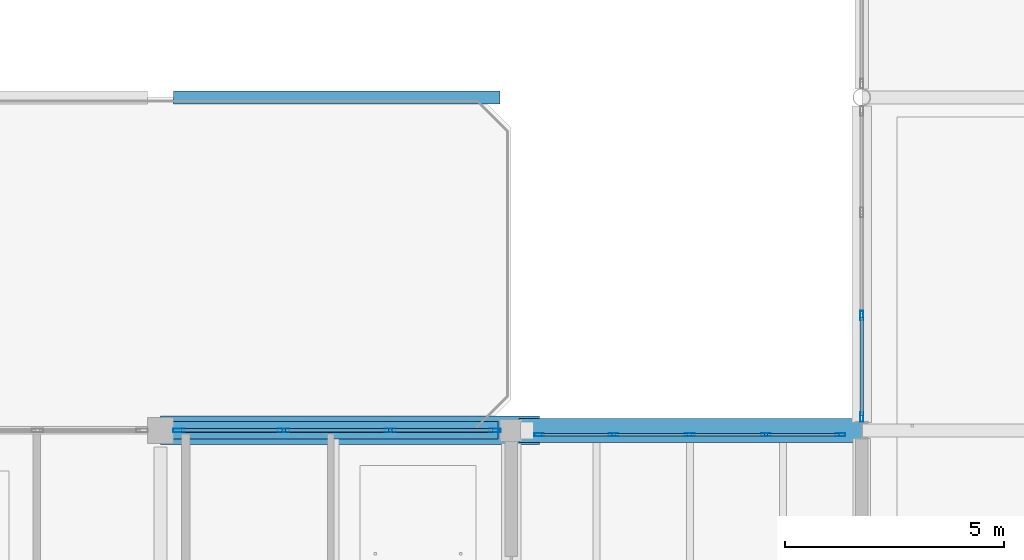
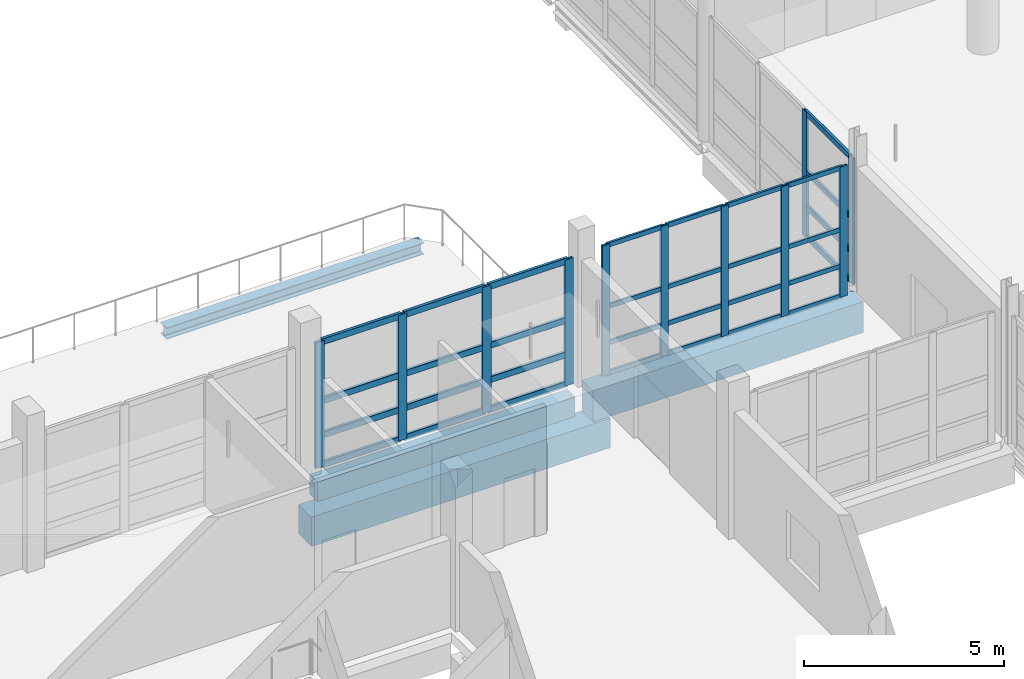
# One storey, part 41 of 147: 43 members, 4 beams, 3 elements without a shape of their own.
"""IFC4 building model written with IfcOpenShell, lengths in metres."""

from ifc_helpers import new_model, si_unit, direction, frame, origin, origin_2d, place, context, subcontext, project, spatial, rectangle, hollow_rectangle, i_section, extrude, material, material_profile, profile_set, type_object, element, aggregate, save


model = new_model("IFC4")

# Units and contexts
model_context = context("Model", 3, precision=1e-05, world=origin(), true_north=direction((0.0, 1.0)))
body_context = subcontext(model_context, "Body", "Model", "MODEL_VIEW")
ifc_project = project(units=[si_unit("LENGTHUNIT", "METRE"), si_unit("AREAUNIT", "SQUARE_METRE"), si_unit("VOLUMEUNIT", "CUBIC_METRE"), si_unit("PLANEANGLEUNIT", "RADIAN"), si_unit("MASSUNIT", "GRAM", prefix="KILO")], contexts=[model_context])

# Site, building, storey
site_placement = place(None, origin())
site = spatial("IfcSite", under=ifc_project, at=site_placement, CompositionType="ELEMENT")
building_placement = place(site_placement, origin())
building = spatial("IfcBuilding", under=site, at=building_placement, Name="Khelvaren Railside Concert Hall", CompositionType="ELEMENT")
storey_placement = place(building_placement, frame((0.0, 0.0, 5.39990234375)))
storey = spatial("IfcBuildingStorey", under=building, at=storey_placement, Name="L01", CompositionType="ELEMENT", Elevation=5.39990234375)

# Beam
ifc_material_1 = material(Name="Concrete C40/50", Category="concrete")
ifc_material_profile_1 = material_profile(ifc_material_1, rectangle(XDim=0.64990234375, YDim=0.89990234375, at=origin_2d()), Name="RCB 650x900")
ifc_profile_set_1 = profile_set([ifc_material_profile_1], Name="Concrete C40/50")
beam_type_1 = type_object("IfcBeamType", Name="BM18", PredefinedType="BEAM", material=ifc_profile_set_1)
beam_1_placement = place(storey_placement, frame((128.0, 15.199951171875, -1.659912109375), z_axis=(1.0, 0.0, 0.0), x_axis=(0.0, 1.0, 0.0)))
element("IfcBeam", 1, at=beam_1_placement, inside=storey, type_object=beam_type_1, Name="East Rehearsal Link Bridge L01 Seismic Corbel Seat 2", PredefinedType="BEAM", context=body_context, shape_type="SweptSolid", body=[
    extrude(rectangle(XDim=0.64990234375, YDim=0.89990234375, at=origin_2d()), origin(), (0.0, 0.0, 1.0), 8.64990234375),
])

# Curtain wall, members
ifc_material_2 = material(Name="Triple-glazed solar-control glass", Category="glass")
curtain_wall_type_1 = type_object("IfcCurtainWallType", Name="CW41", PredefinedType="USERDEFINED", material=ifc_material_2)
curtain_wall_1_placement = place(storey_placement, origin())
curtain_wall_1 = element("IfcCurtainWall", 2, at=curtain_wall_1_placement, inside=storey, type_object=curtain_wall_type_1, Name="Unitised Curtain Wall CW-V2-L01-W-15", ObjectType="UNITISED CURTAIN WALL", PredefinedType="USERDEFINED")
ifc_material_3 = material(Name="Anodised architectural aluminium 6063-T6", Category="aluminium")
ifc_material_profile_2 = material_profile(ifc_material_3, hollow_rectangle(XDim=0.074951171875, YDim=0.219970703125, WallThickness=0.0048828125, InnerFilletRadius=0.0029296875, OuterFilletRadius=0.0048828125, at=origin_2d()), Name="CWM 75x220x5")
ifc_profile_set_2 = profile_set([ifc_material_profile_2], Name="Anodised architectural aluminium 6063-T6")
member_type_1 = type_object("IfcMemberType", Name="CWM13", PredefinedType="MULLION", material=ifc_profile_set_2)
member_1_placement = place(storey_placement, frame((144.0, 15.5048828125, 0.0), z_axis=(0.0, 0.0, 1.0), x_axis=(-1.0, 0.0, 0.0)))
member_1 = element("IfcMember", 3, at=member_1_placement, type_object=member_type_1, Name="CW41 mullion 1", PredefinedType="MULLION", context=body_context, shape_type="SweptSolid", body=[
    extrude(hollow_rectangle(XDim=0.074951171875, YDim=0.219970703125, WallThickness=0.0048828125, InnerFilletRadius=0.0029296875, OuterFilletRadius=0.0048828125, at=origin_2d()), origin(), (0.0, 0.0, 1.0), 3.85009765625),
])
member_2_placement = place(storey_placement, frame((144.0, 17.81982421875, 0.0), z_axis=(0.0, 0.0, 1.0), x_axis=(-1.0, 0.0, 0.0)))
member_2 = element("IfcMember", 4, at=member_2_placement, type_object=member_type_1, Name="CW41 mullion 2", PredefinedType="MULLION", context=body_context, shape_type="SweptSolid", body=[
    extrude(hollow_rectangle(XDim=0.074951171875, YDim=0.219970703125, WallThickness=0.0048828125, InnerFilletRadius=0.0029296875, OuterFilletRadius=0.0048828125, at=origin_2d()), origin(), (0.0, 0.0, 1.0), 3.85009765625),
])

ifc_material_4 = material(Name="Double-glazed clear foyer glass", Category="glass")
curtain_wall_type_2 = type_object("IfcCurtainWallType", Name="CW47", PredefinedType="USERDEFINED", material=ifc_material_4)
curtain_wall_2_placement = place(storey_placement, origin())
curtain_wall_2 = element("IfcCurtainWall", 5, at=curtain_wall_2_placement, inside=storey, type_object=curtain_wall_type_2, Name="Unitised Curtain Wall CW-LB2-L01-N", ObjectType="UNITISED CURTAIN WALL", PredefinedType="USERDEFINED")
member_3_placement = place(storey_placement, frame((136.637451171875, 15.10009765625, 0.0), z_axis=(0.0, 0.0, 1.0), x_axis=(0.0, 1.0, 0.0)))
member_3 = element("IfcMember", 6, at=member_3_placement, type_object=member_type_1, Name="CW47 mullion 1", PredefinedType="MULLION", context=body_context, shape_type="SweptSolid", body=[
    extrude(hollow_rectangle(XDim=0.074951171875, YDim=0.219970703125, WallThickness=0.0048828125, InnerFilletRadius=0.0029296875, OuterFilletRadius=0.0048828125, at=origin_2d()), origin(), (0.0, 0.0, 1.0), 3.97998046875),
])
member_4_placement = place(storey_placement, frame((138.33740234375, 15.10009765625, 0.0), z_axis=(0.0, 0.0, 1.0), x_axis=(0.0, 1.0, 0.0)))
member_4 = element("IfcMember", 7, at=member_4_placement, type_object=member_type_1, Name="CW47 mullion 2", PredefinedType="MULLION", context=body_context, shape_type="SweptSolid", body=[
    extrude(hollow_rectangle(XDim=0.074951171875, YDim=0.219970703125, WallThickness=0.0048828125, InnerFilletRadius=0.0029296875, OuterFilletRadius=0.0048828125, at=origin_2d()), origin(), (0.0, 0.0, 1.0), 3.97998046875),
])
member_5_placement = place(storey_placement, frame((140.074951171875, 15.10009765625, 0.0), z_axis=(0.0, 0.0, 1.0), x_axis=(0.0, 1.0, 0.0)))
member_5 = element("IfcMember", 8, at=member_5_placement, type_object=member_type_1, Name="CW47 mullion 3", PredefinedType="MULLION", context=body_context, shape_type="SweptSolid", body=[
    extrude(hollow_rectangle(XDim=0.074951171875, YDim=0.219970703125, WallThickness=0.0048828125, InnerFilletRadius=0.0029296875, OuterFilletRadius=0.0048828125, at=origin_2d()), origin(), (0.0, 0.0, 1.0), 3.97998046875),
])
member_6_placement = place(storey_placement, frame((141.8125, 15.10009765625, 0.0), z_axis=(0.0, 0.0, 1.0), x_axis=(0.0, 1.0, 0.0)))
member_6 = element("IfcMember", 9, at=member_6_placement, type_object=member_type_1, Name="CW47 mullion 4", PredefinedType="MULLION", context=body_context, shape_type="SweptSolid", body=[
    extrude(hollow_rectangle(XDim=0.074951171875, YDim=0.219970703125, WallThickness=0.0048828125, InnerFilletRadius=0.0029296875, OuterFilletRadius=0.0048828125, at=origin_2d()), origin(), (0.0, 0.0, 1.0), 3.97998046875),
])
member_7_placement = place(storey_placement, frame((143.512451171875, 15.10009765625, 0.0), z_axis=(0.0, 0.0, 1.0), x_axis=(0.0, 1.0, 0.0)))
member_7 = element("IfcMember", 10, at=member_7_placement, type_object=member_type_1, Name="CW47 mullion 5", PredefinedType="MULLION", context=body_context, shape_type="SweptSolid", body=[
    extrude(hollow_rectangle(XDim=0.074951171875, YDim=0.219970703125, WallThickness=0.0048828125, InnerFilletRadius=0.0029296875, OuterFilletRadius=0.0048828125, at=origin_2d()), origin(), (0.0, 0.0, 1.0), 3.97998046875),
])

ifc_material_5 = material(Name="Acoustic laminated crystal facade glass", Category="glass")
curtain_wall_type_3 = type_object("IfcCurtainWallType", Name="CW66", PredefinedType="USERDEFINED", material=ifc_material_5)
curtain_wall_3_placement = place(storey_placement, origin())
curtain_wall_3 = element("IfcCurtainWall", 11, at=curtain_wall_3_placement, inside=storey, type_object=curtain_wall_type_3, Name="Unitised Curtain Wall CW-V3-L01-N-128", ObjectType="UNITISED CURTAIN WALL", PredefinedType="USERDEFINED")
ifc_material_profile_3 = material_profile(ifc_material_3, hollow_rectangle(XDim=0.0849609375, YDim=0.260009765625, WallThickness=0.0048828125, InnerFilletRadius=0.0029296875, OuterFilletRadius=0.0048828125, at=origin_2d()), Name="CWM 85x260x5")
ifc_profile_set_3 = profile_set([ifc_material_profile_3], Name="Anodised architectural aluminium 6063-T6")
member_type_2 = type_object("IfcMemberType", Name="CWM40", PredefinedType="MULLION", material=ifc_profile_set_3)
member_8_placement = place(storey_placement, frame((128.419921875, 15.199951171875, 0.0), z_axis=(0.0, 0.0, 1.0), x_axis=(0.0, 1.0, 0.0)))
member_8 = element("IfcMember", 12, at=member_8_placement, type_object=member_type_2, Name="CW66 mullion 1", PredefinedType="MULLION", context=body_context, shape_type="SweptSolid", body=[
    extrude(hollow_rectangle(XDim=0.0849609375, YDim=0.260009765625, WallThickness=0.0048828125, InnerFilletRadius=0.0029296875, OuterFilletRadius=0.0048828125, at=origin_2d()), origin(), (0.0, 0.0, 1.0), 3.85009765625),
])
member_9_placement = place(storey_placement, frame((130.80908203125, 15.199951171875, 0.0), z_axis=(0.0, 0.0, 1.0), x_axis=(0.0, 1.0, 0.0)))
member_9 = element("IfcMember", 13, at=member_9_placement, type_object=member_type_2, Name="CW66 mullion 2", PredefinedType="MULLION", context=body_context, shape_type="SweptSolid", body=[
    extrude(hollow_rectangle(XDim=0.0849609375, YDim=0.260009765625, WallThickness=0.0048828125, InnerFilletRadius=0.0029296875, OuterFilletRadius=0.0048828125, at=origin_2d()), origin(), (0.0, 0.0, 1.0), 3.85009765625),
])
member_10_placement = place(storey_placement, frame((133.24072265625, 15.199951171875, 0.0), z_axis=(0.0, 0.0, 1.0), x_axis=(0.0, 1.0, 0.0)))
member_10 = element("IfcMember", 14, at=member_10_placement, type_object=member_type_2, Name="CW66 mullion 3", PredefinedType="MULLION", context=body_context, shape_type="SweptSolid", body=[
    extrude(hollow_rectangle(XDim=0.0849609375, YDim=0.260009765625, WallThickness=0.0048828125, InnerFilletRadius=0.0029296875, OuterFilletRadius=0.0048828125, at=origin_2d()), origin(), (0.0, 0.0, 1.0), 3.85009765625),
])
member_11_placement = place(storey_placement, frame((135.6298828125, 15.199951171875, 0.0), z_axis=(0.0, 0.0, 1.0), x_axis=(0.0, 1.0, 0.0)))
member_11 = element("IfcMember", 15, at=member_11_placement, type_object=member_type_2, Name="CW66 mullion 4", PredefinedType="MULLION", context=body_context, shape_type="SweptSolid", body=[
    extrude(hollow_rectangle(XDim=0.0849609375, YDim=0.260009765625, WallThickness=0.0048828125, InnerFilletRadius=0.0029296875, OuterFilletRadius=0.0048828125, at=origin_2d()), origin(), (0.0, 0.0, 1.0), 3.85009765625),
])
ifc_material_profile_4 = material_profile(ifc_material_3, hollow_rectangle(XDim=0.0849609375, YDim=0.18994140625, WallThickness=0.0048828125, InnerFilletRadius=0.0029296875, OuterFilletRadius=0.0048828125, at=origin_2d()), Name="CWT 85x190x5")
ifc_profile_set_4 = profile_set([ifc_material_profile_4], Name="Anodised architectural aluminium 6063-T6")
member_type_3 = type_object("IfcMemberType", Name="CWT31", PredefinedType="USERDEFINED", material=ifc_profile_set_4)
member_12_placement = place(storey_placement, frame((128.46240234375, 15.199951171875, 0.04248046875), z_axis=(1.0, 0.0, 0.0), x_axis=(0.0, 1.0, 0.0)))
member_12 = element("IfcMember", 16, at=member_12_placement, type_object=member_type_3, Name="CW66 transom 1.1", ObjectType="TRANSOM", PredefinedType="USERDEFINED", context=body_context, shape_type="SweptSolid", body=[
    extrude(hollow_rectangle(XDim=0.0849609375, YDim=0.18994140625, WallThickness=0.0048828125, InnerFilletRadius=0.0029296875, OuterFilletRadius=0.0048828125, at=origin_2d()), origin(), (0.0, 0.0, 1.0), 2.30419921875),
])
member_13_placement = place(storey_placement, frame((128.46240234375, 15.199951171875, 0.9501953125), z_axis=(1.0, 0.0, 0.0), x_axis=(0.0, 1.0, 0.0)))
member_13 = element("IfcMember", 17, at=member_13_placement, type_object=member_type_3, Name="CW66 transom 1.2", ObjectType="TRANSOM", PredefinedType="USERDEFINED", context=body_context, shape_type="SweptSolid", body=[
    extrude(hollow_rectangle(XDim=0.0849609375, YDim=0.18994140625, WallThickness=0.0048828125, InnerFilletRadius=0.0029296875, OuterFilletRadius=0.0048828125, at=origin_2d()), origin(), (0.0, 0.0, 1.0), 2.30419921875),
])
member_14_placement = place(storey_placement, frame((128.46240234375, 15.199951171875, 2.002197265625), z_axis=(1.0, 0.0, 0.0), x_axis=(0.0, 1.0, 0.0)))
member_14 = element("IfcMember", 18, at=member_14_placement, type_object=member_type_3, Name="CW66 transom 1.3", ObjectType="TRANSOM", PredefinedType="USERDEFINED", context=body_context, shape_type="SweptSolid", body=[
    extrude(hollow_rectangle(XDim=0.0849609375, YDim=0.18994140625, WallThickness=0.0048828125, InnerFilletRadius=0.0029296875, OuterFilletRadius=0.0048828125, at=origin_2d()), origin(), (0.0, 0.0, 1.0), 2.30419921875),
])
member_15_placement = place(storey_placement, frame((128.46240234375, 15.199951171875, 3.8076171875), z_axis=(1.0, 0.0, 0.0), x_axis=(0.0, 1.0, 0.0)))
member_15 = element("IfcMember", 19, at=member_15_placement, type_object=member_type_3, Name="CW66 transom 1.4", ObjectType="TRANSOM", PredefinedType="USERDEFINED", context=body_context, shape_type="SweptSolid", body=[
    extrude(hollow_rectangle(XDim=0.0849609375, YDim=0.18994140625, WallThickness=0.0048828125, InnerFilletRadius=0.0029296875, OuterFilletRadius=0.0048828125, at=origin_2d()), origin(), (0.0, 0.0, 1.0), 2.30419921875),
])
member_16_placement = place(storey_placement, frame((130.8515625, 15.199951171875, 0.04248046875), z_axis=(1.0, 0.0, 0.0), x_axis=(0.0, 1.0, 0.0)))
member_16 = element("IfcMember", 20, at=member_16_placement, type_object=member_type_3, Name="CW66 transom 2.1", ObjectType="TRANSOM", PredefinedType="USERDEFINED", context=body_context, shape_type="SweptSolid", body=[
    extrude(hollow_rectangle(XDim=0.0849609375, YDim=0.18994140625, WallThickness=0.0048828125, InnerFilletRadius=0.0029296875, OuterFilletRadius=0.0048828125, at=origin_2d()), origin(), (0.0, 0.0, 1.0), 2.3466796875),
])
member_17_placement = place(storey_placement, frame((130.8515625, 15.199951171875, 0.9501953125), z_axis=(1.0, 0.0, 0.0), x_axis=(0.0, 1.0, 0.0)))
member_17 = element("IfcMember", 21, at=member_17_placement, type_object=member_type_3, Name="CW66 transom 2.2", ObjectType="TRANSOM", PredefinedType="USERDEFINED", context=body_context, shape_type="SweptSolid", body=[
    extrude(hollow_rectangle(XDim=0.0849609375, YDim=0.18994140625, WallThickness=0.0048828125, InnerFilletRadius=0.0029296875, OuterFilletRadius=0.0048828125, at=origin_2d()), origin(), (0.0, 0.0, 1.0), 2.3466796875),
])
member_18_placement = place(storey_placement, frame((130.8515625, 15.199951171875, 2.002197265625), z_axis=(1.0, 0.0, 0.0), x_axis=(0.0, 1.0, 0.0)))
member_18 = element("IfcMember", 22, at=member_18_placement, type_object=member_type_3, Name="CW66 transom 2.3", ObjectType="TRANSOM", PredefinedType="USERDEFINED", context=body_context, shape_type="SweptSolid", body=[
    extrude(hollow_rectangle(XDim=0.0849609375, YDim=0.18994140625, WallThickness=0.0048828125, InnerFilletRadius=0.0029296875, OuterFilletRadius=0.0048828125, at=origin_2d()), origin(), (0.0, 0.0, 1.0), 2.3466796875),
])
member_19_placement = place(storey_placement, frame((130.8515625, 15.199951171875, 3.8076171875), z_axis=(1.0, 0.0, 0.0), x_axis=(0.0, 1.0, 0.0)))
member_19 = element("IfcMember", 23, at=member_19_placement, type_object=member_type_3, Name="CW66 transom 2.4", ObjectType="TRANSOM", PredefinedType="USERDEFINED", context=body_context, shape_type="SweptSolid", body=[
    extrude(hollow_rectangle(XDim=0.0849609375, YDim=0.18994140625, WallThickness=0.0048828125, InnerFilletRadius=0.0029296875, OuterFilletRadius=0.0048828125, at=origin_2d()), origin(), (0.0, 0.0, 1.0), 2.3466796875),
])
member_20_placement = place(storey_placement, frame((133.283447265625, 15.199951171875, 0.04248046875), z_axis=(1.0, 0.0, 0.0), x_axis=(0.0, 1.0, 0.0)))
member_20 = element("IfcMember", 24, at=member_20_placement, type_object=member_type_3, Name="CW66 transom 3.1", ObjectType="TRANSOM", PredefinedType="USERDEFINED", context=body_context, shape_type="SweptSolid", body=[
    extrude(hollow_rectangle(XDim=0.0849609375, YDim=0.18994140625, WallThickness=0.0048828125, InnerFilletRadius=0.0029296875, OuterFilletRadius=0.0048828125, at=origin_2d()), origin(), (0.0, 0.0, 1.0), 2.303955078125),
])
member_21_placement = place(storey_placement, frame((133.283447265625, 15.199951171875, 0.9501953125), z_axis=(1.0, 0.0, 0.0), x_axis=(0.0, 1.0, 0.0)))
member_21 = element("IfcMember", 25, at=member_21_placement, type_object=member_type_3, Name="CW66 transom 3.2", ObjectType="TRANSOM", PredefinedType="USERDEFINED", context=body_context, shape_type="SweptSolid", body=[
    extrude(hollow_rectangle(XDim=0.0849609375, YDim=0.18994140625, WallThickness=0.0048828125, InnerFilletRadius=0.0029296875, OuterFilletRadius=0.0048828125, at=origin_2d()), origin(), (0.0, 0.0, 1.0), 2.303955078125),
])
member_22_placement = place(storey_placement, frame((133.283447265625, 15.199951171875, 2.002197265625), z_axis=(1.0, 0.0, 0.0), x_axis=(0.0, 1.0, 0.0)))
member_22 = element("IfcMember", 26, at=member_22_placement, type_object=member_type_3, Name="CW66 transom 3.3", ObjectType="TRANSOM", PredefinedType="USERDEFINED", context=body_context, shape_type="SweptSolid", body=[
    extrude(hollow_rectangle(XDim=0.0849609375, YDim=0.18994140625, WallThickness=0.0048828125, InnerFilletRadius=0.0029296875, OuterFilletRadius=0.0048828125, at=origin_2d()), origin(), (0.0, 0.0, 1.0), 2.303955078125),
])
member_23_placement = place(storey_placement, frame((133.283447265625, 15.199951171875, 3.8076171875), z_axis=(1.0, 0.0, 0.0), x_axis=(0.0, 1.0, 0.0)))
member_23 = element("IfcMember", 27, at=member_23_placement, type_object=member_type_3, Name="CW66 transom 3.4", ObjectType="TRANSOM", PredefinedType="USERDEFINED", context=body_context, shape_type="SweptSolid", body=[
    extrude(hollow_rectangle(XDim=0.0849609375, YDim=0.18994140625, WallThickness=0.0048828125, InnerFilletRadius=0.0029296875, OuterFilletRadius=0.0048828125, at=origin_2d()), origin(), (0.0, 0.0, 1.0), 2.303955078125),
])
aggregate(curtain_wall_3, [member_8, member_9, member_10, member_11, member_12, member_13, member_14, member_15, member_16, member_17, member_18, member_19, member_20, member_21, member_22, member_23])

# Member
ifc_material_profile_5 = material_profile(ifc_material_3, hollow_rectangle(XDim=0.074951171875, YDim=0.1650390625, WallThickness=0.00390625, InnerFilletRadius=0.001953125, OuterFilletRadius=0.00390625, at=origin_2d()), Name="CWT 75x165x4")
ifc_profile_set_5 = profile_set([ifc_material_profile_5], Name="Anodised architectural aluminium 6063-T6")
member_type_4 = type_object("IfcMemberType", Name="CWT46", PredefinedType="USERDEFINED", material=ifc_profile_set_5)
member_24_placement = place(storey_placement, frame((144.0, 15.54248046875, 0.03759765625), z_axis=(0.0, 1.0, 0.0), x_axis=(-1.0, 0.0, 0.0)))
member_24 = element("IfcMember", 28, at=member_24_placement, type_object=member_type_4, Name="CW41 transom 1.1", ObjectType="TRANSOM", PredefinedType="USERDEFINED", context=body_context, shape_type="SweptSolid", body=[
    extrude(hollow_rectangle(XDim=0.074951171875, YDim=0.1650390625, WallThickness=0.00390625, InnerFilletRadius=0.001953125, OuterFilletRadius=0.00390625, at=origin_2d()), origin(), (0.0, 0.0, 1.0), 2.23974609375),
])

member_25_placement = place(storey_placement, frame((144.0, 15.54248046875, 0.9501953125), z_axis=(0.0, 1.0, 0.0), x_axis=(-1.0, 0.0, 0.0)))
member_25 = element("IfcMember", 29, at=member_25_placement, type_object=member_type_4, Name="CW41 transom 1.2", ObjectType="TRANSOM", PredefinedType="USERDEFINED", context=body_context, shape_type="SweptSolid", body=[
    extrude(hollow_rectangle(XDim=0.074951171875, YDim=0.1650390625, WallThickness=0.00390625, InnerFilletRadius=0.001953125, OuterFilletRadius=0.00390625, at=origin_2d()), origin(), (0.0, 0.0, 1.0), 2.23974609375),
])

member_26_placement = place(storey_placement, frame((144.0, 15.54248046875, 2.002197265625), z_axis=(0.0, 1.0, 0.0), x_axis=(-1.0, 0.0, 0.0)))
member_26 = element("IfcMember", 30, at=member_26_placement, type_object=member_type_4, Name="CW41 transom 1.3", ObjectType="TRANSOM", PredefinedType="USERDEFINED", context=body_context, shape_type="SweptSolid", body=[
    extrude(hollow_rectangle(XDim=0.074951171875, YDim=0.1650390625, WallThickness=0.00390625, InnerFilletRadius=0.001953125, OuterFilletRadius=0.00390625, at=origin_2d()), origin(), (0.0, 0.0, 1.0), 2.23974609375),
])

member_27_placement = place(storey_placement, frame((144.0, 15.54248046875, 3.8125), z_axis=(0.0, 1.0, 0.0), x_axis=(-1.0, 0.0, 0.0)))
member_27 = element("IfcMember", 31, at=member_27_placement, type_object=member_type_4, Name="CW41 transom 1.4", ObjectType="TRANSOM", PredefinedType="USERDEFINED", context=body_context, shape_type="SweptSolid", body=[
    extrude(hollow_rectangle(XDim=0.074951171875, YDim=0.1650390625, WallThickness=0.00390625, InnerFilletRadius=0.001953125, OuterFilletRadius=0.00390625, at=origin_2d()), origin(), (0.0, 0.0, 1.0), 2.23974609375),
])

aggregate(curtain_wall_1, [member_1, member_2, member_24, member_25, member_26, member_27])

ifc_material_profile_6 = material_profile(ifc_material_3, hollow_rectangle(XDim=0.06494140625, YDim=0.139892578125, WallThickness=0.00390625, InnerFilletRadius=0.001953125, OuterFilletRadius=0.00390625, at=origin_2d()), Name="CWT 65x140x4")
ifc_profile_set_6 = profile_set([ifc_material_profile_6], Name="Anodised architectural aluminium 6063-T6")
member_type_5 = type_object("IfcMemberType", Name="CWT72", PredefinedType="USERDEFINED", material=ifc_profile_set_6)
member_28_placement = place(storey_placement, frame((136.675048828125, 15.10009765625, 0.03271484375), z_axis=(1.0, 0.0, 0.0), x_axis=(0.0, 1.0, 0.0)))
member_28 = element("IfcMember", 32, at=member_28_placement, type_object=member_type_5, Name="CW47 transom 1.1", ObjectType="TRANSOM", PredefinedType="USERDEFINED", context=body_context, shape_type="SweptSolid", body=[
    extrude(hollow_rectangle(XDim=0.06494140625, YDim=0.139892578125, WallThickness=0.00390625, InnerFilletRadius=0.001953125, OuterFilletRadius=0.00390625, at=origin_2d()), origin(), (0.0, 0.0, 1.0), 1.625),
])

member_29_placement = place(storey_placement, frame((136.675048828125, 15.10009765625, 0.9501953125), z_axis=(1.0, 0.0, 0.0), x_axis=(0.0, 1.0, 0.0)))
member_29 = element("IfcMember", 33, at=member_29_placement, type_object=member_type_5, Name="CW47 transom 1.2", ObjectType="TRANSOM", PredefinedType="USERDEFINED", context=body_context, shape_type="SweptSolid", body=[
    extrude(hollow_rectangle(XDim=0.06494140625, YDim=0.139892578125, WallThickness=0.00390625, InnerFilletRadius=0.001953125, OuterFilletRadius=0.00390625, at=origin_2d()), origin(), (0.0, 0.0, 1.0), 1.625),
])

member_30_placement = place(storey_placement, frame((136.675048828125, 15.10009765625, 2.069580078125), z_axis=(1.0, 0.0, 0.0), x_axis=(0.0, 1.0, 0.0)))
member_30 = element("IfcMember", 34, at=member_30_placement, type_object=member_type_5, Name="CW47 transom 1.3", ObjectType="TRANSOM", PredefinedType="USERDEFINED", context=body_context, shape_type="SweptSolid", body=[
    extrude(hollow_rectangle(XDim=0.06494140625, YDim=0.139892578125, WallThickness=0.00390625, InnerFilletRadius=0.001953125, OuterFilletRadius=0.00390625, at=origin_2d()), origin(), (0.0, 0.0, 1.0), 1.625),
])

member_31_placement = place(storey_placement, frame((136.675048828125, 15.10009765625, 3.947509765625), z_axis=(1.0, 0.0, 0.0), x_axis=(0.0, 1.0, 0.0)))
member_31 = element("IfcMember", 35, at=member_31_placement, type_object=member_type_5, Name="CW47 transom 1.4", ObjectType="TRANSOM", PredefinedType="USERDEFINED", context=body_context, shape_type="SweptSolid", body=[
    extrude(hollow_rectangle(XDim=0.06494140625, YDim=0.139892578125, WallThickness=0.00390625, InnerFilletRadius=0.001953125, OuterFilletRadius=0.00390625, at=origin_2d()), origin(), (0.0, 0.0, 1.0), 1.625),
])

member_32_placement = place(storey_placement, frame((138.375, 15.10009765625, 0.03271484375), z_axis=(1.0, 0.0, 0.0), x_axis=(0.0, 1.0, 0.0)))
member_32 = element("IfcMember", 36, at=member_32_placement, type_object=member_type_5, Name="CW47 transom 2.1", ObjectType="TRANSOM", PredefinedType="USERDEFINED", context=body_context, shape_type="SweptSolid", body=[
    extrude(hollow_rectangle(XDim=0.06494140625, YDim=0.139892578125, WallThickness=0.00390625, InnerFilletRadius=0.001953125, OuterFilletRadius=0.00390625, at=origin_2d()), origin(), (0.0, 0.0, 1.0), 1.66259765625),
])

member_33_placement = place(storey_placement, frame((138.375, 15.10009765625, 0.9501953125), z_axis=(1.0, 0.0, 0.0), x_axis=(0.0, 1.0, 0.0)))
member_33 = element("IfcMember", 37, at=member_33_placement, type_object=member_type_5, Name="CW47 transom 2.2", ObjectType="TRANSOM", PredefinedType="USERDEFINED", context=body_context, shape_type="SweptSolid", body=[
    extrude(hollow_rectangle(XDim=0.06494140625, YDim=0.139892578125, WallThickness=0.00390625, InnerFilletRadius=0.001953125, OuterFilletRadius=0.00390625, at=origin_2d()), origin(), (0.0, 0.0, 1.0), 1.66259765625),
])

member_34_placement = place(storey_placement, frame((138.375, 15.10009765625, 2.069580078125), z_axis=(1.0, 0.0, 0.0), x_axis=(0.0, 1.0, 0.0)))
member_34 = element("IfcMember", 38, at=member_34_placement, type_object=member_type_5, Name="CW47 transom 2.3", ObjectType="TRANSOM", PredefinedType="USERDEFINED", context=body_context, shape_type="SweptSolid", body=[
    extrude(hollow_rectangle(XDim=0.06494140625, YDim=0.139892578125, WallThickness=0.00390625, InnerFilletRadius=0.001953125, OuterFilletRadius=0.00390625, at=origin_2d()), origin(), (0.0, 0.0, 1.0), 1.66259765625),
])

member_35_placement = place(storey_placement, frame((138.375, 15.10009765625, 3.947509765625), z_axis=(1.0, 0.0, 0.0), x_axis=(0.0, 1.0, 0.0)))
member_35 = element("IfcMember", 39, at=member_35_placement, type_object=member_type_5, Name="CW47 transom 2.4", ObjectType="TRANSOM", PredefinedType="USERDEFINED", context=body_context, shape_type="SweptSolid", body=[
    extrude(hollow_rectangle(XDim=0.06494140625, YDim=0.139892578125, WallThickness=0.00390625, InnerFilletRadius=0.001953125, OuterFilletRadius=0.00390625, at=origin_2d()), origin(), (0.0, 0.0, 1.0), 1.66259765625),
])

member_36_placement = place(storey_placement, frame((140.112548828125, 15.10009765625, 0.03271484375), z_axis=(1.0, 0.0, 0.0), x_axis=(0.0, 1.0, 0.0)))
member_36 = element("IfcMember", 40, at=member_36_placement, type_object=member_type_5, Name="CW47 transom 3.1", ObjectType="TRANSOM", PredefinedType="USERDEFINED", context=body_context, shape_type="SweptSolid", body=[
    extrude(hollow_rectangle(XDim=0.06494140625, YDim=0.139892578125, WallThickness=0.00390625, InnerFilletRadius=0.001953125, OuterFilletRadius=0.00390625, at=origin_2d()), origin(), (0.0, 0.0, 1.0), 1.662353515625),
])

member_37_placement = place(storey_placement, frame((140.112548828125, 15.10009765625, 0.9501953125), z_axis=(1.0, 0.0, 0.0), x_axis=(0.0, 1.0, 0.0)))
member_37 = element("IfcMember", 41, at=member_37_placement, type_object=member_type_5, Name="CW47 transom 3.2", ObjectType="TRANSOM", PredefinedType="USERDEFINED", context=body_context, shape_type="SweptSolid", body=[
    extrude(hollow_rectangle(XDim=0.06494140625, YDim=0.139892578125, WallThickness=0.00390625, InnerFilletRadius=0.001953125, OuterFilletRadius=0.00390625, at=origin_2d()), origin(), (0.0, 0.0, 1.0), 1.662353515625),
])

member_38_placement = place(storey_placement, frame((140.112548828125, 15.10009765625, 2.069580078125), z_axis=(1.0, 0.0, 0.0), x_axis=(0.0, 1.0, 0.0)))
member_38 = element("IfcMember", 42, at=member_38_placement, type_object=member_type_5, Name="CW47 transom 3.3", ObjectType="TRANSOM", PredefinedType="USERDEFINED", context=body_context, shape_type="SweptSolid", body=[
    extrude(hollow_rectangle(XDim=0.06494140625, YDim=0.139892578125, WallThickness=0.00390625, InnerFilletRadius=0.001953125, OuterFilletRadius=0.00390625, at=origin_2d()), origin(), (0.0, 0.0, 1.0), 1.662353515625),
])

member_39_placement = place(storey_placement, frame((140.112548828125, 15.10009765625, 3.947509765625), z_axis=(1.0, 0.0, 0.0), x_axis=(0.0, 1.0, 0.0)))
member_39 = element("IfcMember", 43, at=member_39_placement, type_object=member_type_5, Name="CW47 transom 3.4", ObjectType="TRANSOM", PredefinedType="USERDEFINED", context=body_context, shape_type="SweptSolid", body=[
    extrude(hollow_rectangle(XDim=0.06494140625, YDim=0.139892578125, WallThickness=0.00390625, InnerFilletRadius=0.001953125, OuterFilletRadius=0.00390625, at=origin_2d()), origin(), (0.0, 0.0, 1.0), 1.662353515625),
])

member_40_placement = place(storey_placement, frame((141.85009765625, 15.10009765625, 0.03271484375), z_axis=(1.0, 0.0, 0.0), x_axis=(0.0, 1.0, 0.0)))
member_40 = element("IfcMember", 44, at=member_40_placement, type_object=member_type_5, Name="CW47 transom 4.1", ObjectType="TRANSOM", PredefinedType="USERDEFINED", context=body_context, shape_type="SweptSolid", body=[
    extrude(hollow_rectangle(XDim=0.06494140625, YDim=0.139892578125, WallThickness=0.00390625, InnerFilletRadius=0.001953125, OuterFilletRadius=0.00390625, at=origin_2d()), origin(), (0.0, 0.0, 1.0), 1.625),
])

member_41_placement = place(storey_placement, frame((141.85009765625, 15.10009765625, 0.9501953125), z_axis=(1.0, 0.0, 0.0), x_axis=(0.0, 1.0, 0.0)))
member_41 = element("IfcMember", 45, at=member_41_placement, type_object=member_type_5, Name="CW47 transom 4.2", ObjectType="TRANSOM", PredefinedType="USERDEFINED", context=body_context, shape_type="SweptSolid", body=[
    extrude(hollow_rectangle(XDim=0.06494140625, YDim=0.139892578125, WallThickness=0.00390625, InnerFilletRadius=0.001953125, OuterFilletRadius=0.00390625, at=origin_2d()), origin(), (0.0, 0.0, 1.0), 1.625),
])

member_42_placement = place(storey_placement, frame((141.85009765625, 15.10009765625, 2.069580078125), z_axis=(1.0, 0.0, 0.0), x_axis=(0.0, 1.0, 0.0)))
member_42 = element("IfcMember", 46, at=member_42_placement, type_object=member_type_5, Name="CW47 transom 4.3", ObjectType="TRANSOM", PredefinedType="USERDEFINED", context=body_context, shape_type="SweptSolid", body=[
    extrude(hollow_rectangle(XDim=0.06494140625, YDim=0.139892578125, WallThickness=0.00390625, InnerFilletRadius=0.001953125, OuterFilletRadius=0.00390625, at=origin_2d()), origin(), (0.0, 0.0, 1.0), 1.625),
])

member_43_placement = place(storey_placement, frame((141.85009765625, 15.10009765625, 3.947509765625), z_axis=(1.0, 0.0, 0.0), x_axis=(0.0, 1.0, 0.0)))
member_43 = element("IfcMember", 47, at=member_43_placement, type_object=member_type_5, Name="CW47 transom 4.4", ObjectType="TRANSOM", PredefinedType="USERDEFINED", context=body_context, shape_type="SweptSolid", body=[
    extrude(hollow_rectangle(XDim=0.06494140625, YDim=0.139892578125, WallThickness=0.00390625, InnerFilletRadius=0.001953125, OuterFilletRadius=0.00390625, at=origin_2d()), origin(), (0.0, 0.0, 1.0), 1.625),
])

aggregate(curtain_wall_2, [member_3, member_4, member_5, member_6, member_7, member_28, member_29, member_30, member_31, member_32, member_33, member_34, member_35, member_36, member_37, member_38, member_39, member_40, member_41, member_42, member_43])

# Beams
ifc_material_profile_7 = material_profile(ifc_material_1, rectangle(XDim=0.550048828125, YDim=0.949951171875, at=origin_2d()), Name="RCB 550x950")
ifc_profile_set_7 = profile_set([ifc_material_profile_7], Name="Concrete C40/50")
beam_type_2 = type_object("IfcBeamType", Name="GR75", PredefinedType="T_BEAM", material=ifc_profile_set_7)
beam_2_placement = place(storey_placement, frame((136.179931640625, 15.199951171875, -0.71484375), z_axis=(1.0, 0.0, 0.0), x_axis=(0.0, 1.0, 0.0)))
element("IfcBeam", 48, at=beam_2_placement, inside=storey, type_object=beam_type_2, Name="East Rehearsal Link Bridge L01 Bridge Girder 2", PredefinedType="T_BEAM", context=body_context, shape_type="SweptSolid", body=[
    extrude(rectangle(XDim=0.550048828125, YDim=0.949951171875, at=origin_2d()), origin(), (0.0, 0.0, 1.0), 7.820068359375),
])
ifc_material_6 = material(Name="Steel S355", Category="steel")
ifc_material_profile_8 = material_profile(ifc_material_6, i_section(OverallWidth=0.300048828125, OverallDepth=0.35009765625, WebThickness=0.010009765625, FlangeThickness=0.017578125, FilletRadius=0.027099609375, at=origin_2d()), Name="HEA 360")
ifc_profile_set_8 = profile_set([ifc_material_profile_8], Name="Steel S355")
beam_type_3 = type_object("IfcBeamType", Name="SP38", PredefinedType="SPANDREL", material=ifc_profile_set_8)
beam_3_placement = place(storey_placement, frame((128.300048828125, 22.800048828125, -0.414794921875), z_axis=(1.0, 0.0, 0.0), x_axis=(0.0, 1.0, 0.0)))
element("IfcBeam", 49, at=beam_3_placement, inside=storey, type_object=beam_type_3, Name="V3 L01 Terrace Edge Spandrel 9", PredefinedType="SPANDREL", context=body_context, shape_type="SweptSolid", body=[
    extrude(i_section(OverallWidth=0.300048828125, OverallDepth=0.35009765625, WebThickness=0.010009765625, FlangeThickness=0.017578125, FilletRadius=0.027099609375, at=origin_2d()), origin(), (0.0, 0.0, 1.0), 7.449951171875),
])
ifc_material_profile_9 = material_profile(ifc_material_1, rectangle(XDim=0.39990234375, YDim=0.60009765625, at=origin_2d()), Name="RCB 400x600")
ifc_profile_set_9 = profile_set([ifc_material_profile_9], Name="Concrete C40/50")
beam_type_4 = type_object("IfcBeamType", Name="SP75", PredefinedType="SPANDREL", material=ifc_profile_set_9)
beam_4_placement = place(storey_placement, frame((128.25, 15.199951171875, -0.599853515625), z_axis=(1.0, 0.0, 0.0), x_axis=(0.0, 1.0, 0.0)))
element("IfcBeam", 50, at=beam_4_placement, inside=storey, type_object=beam_type_4, Name="V3 L01 Spandrel X3.9", PredefinedType="SPANDREL", context=body_context, shape_type="SweptSolid", body=[
    extrude(rectangle(XDim=0.39990234375, YDim=0.60009765625, at=origin_2d()), origin(), (0.0, 0.0, 1.0), 7.449951171875),
])

save(model, "model.ifc")
